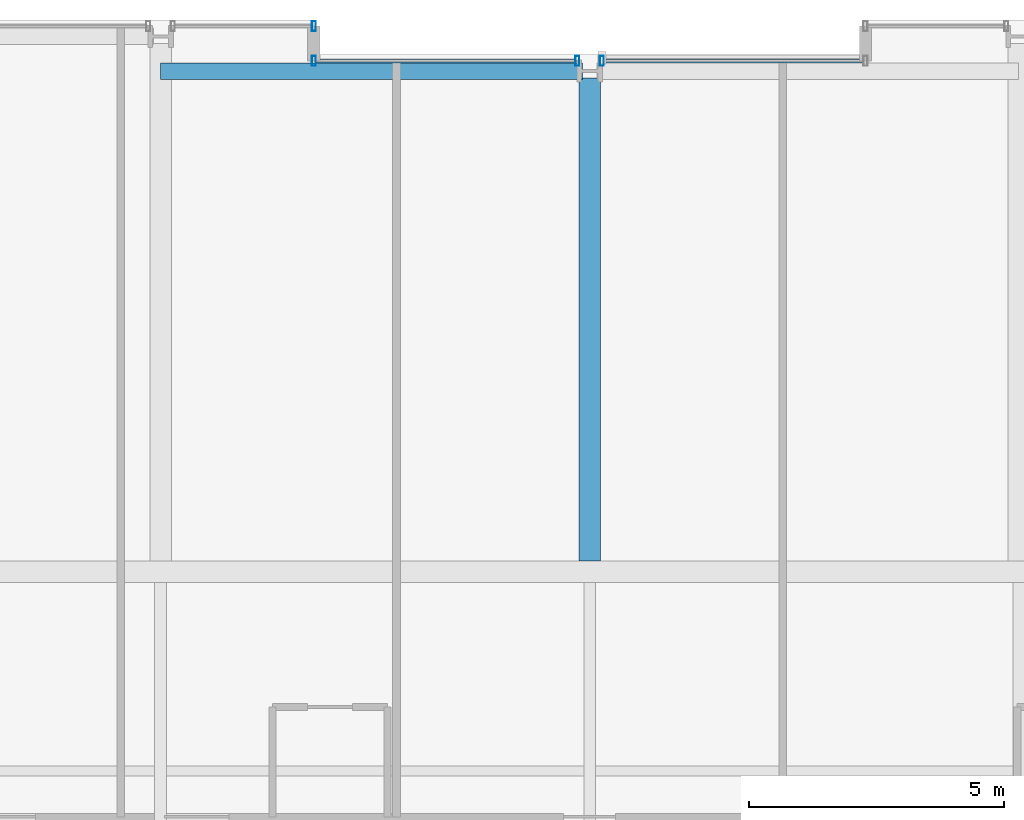
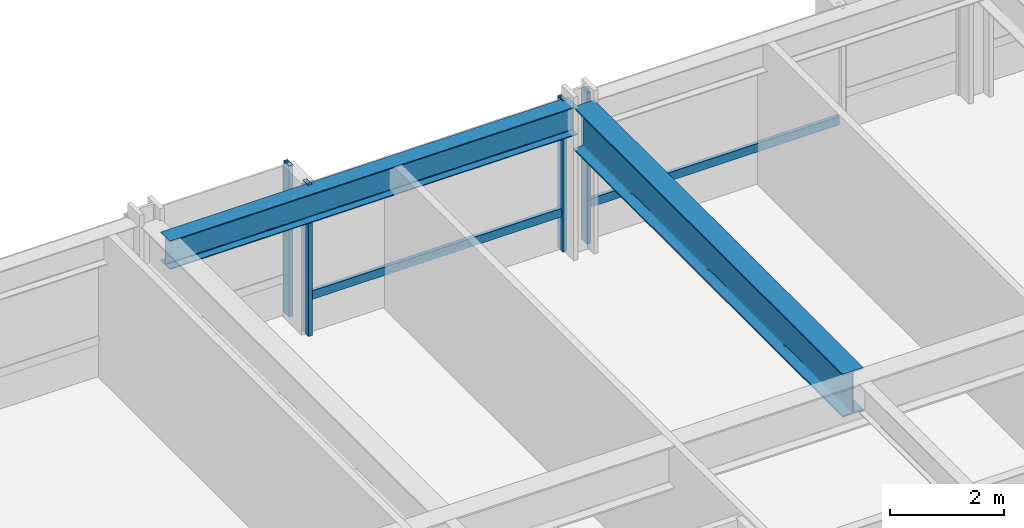
# One storey, part 23 of 38: 6 members, 2 beams, 3 elements without a shape of their own.
"""IFC4 building model written with IfcOpenShell, lengths in metres."""

from ifc_helpers import new_model, si_unit, direction, frame, origin, origin_2d, place, context, subcontext, project, spatial, hollow_rectangle, i_section, extrude, material, layer, layer_set, material_profile, profile_set, type_object, element, aggregate, save


model = new_model("IFC4")

# Units and contexts
model_context = context("Model", 3, precision=1e-05, world=origin(), true_north=direction((0.0, 1.0)))
body_context = subcontext(model_context, "Body", "Model", "MODEL_VIEW")
ifc_project = project(units=[si_unit("LENGTHUNIT", "METRE"), si_unit("AREAUNIT", "SQUARE_METRE"), si_unit("VOLUMEUNIT", "CUBIC_METRE"), si_unit("PLANEANGLEUNIT", "RADIAN"), si_unit("MASSUNIT", "GRAM", prefix="KILO")], contexts=[model_context])

# Site, building, storey
site_placement = place(None, origin())
site = spatial("IfcSite", under=ifc_project, at=site_placement, CompositionType="ELEMENT")
building_placement = place(site_placement, origin())
building = spatial("IfcBuilding", under=site, at=building_placement, Name="Drelvath Grand Hotel", CompositionType="ELEMENT")
storey_placement = place(building_placement, frame((0.0, 0.0, 57.699951171875)))
storey = spatial("IfcBuildingStorey", under=building, at=storey_placement, Name="L13", CompositionType="ELEMENT", Elevation=57.699951171875)

# Curtain wall, member
ifc_material_1 = material(Name="Warm Bronze Anodised Aluminium Frame", Category="aluminium")
ifc_layer = layer(ifc_material_1, 0.199951171875)
ifc_layer_set = layer_set([ifc_layer], Name="Warm Bronze Anodised Aluminium Frame")
curtain_wall_type = type_object("IfcCurtainWallType", Name="Stick Curtain Wall CW-02 Warm Bronze Low-Rise", PredefinedType="NOTDEFINED", material=ifc_layer_set)
curtain_wall_1_placement = place(storey_placement, origin())
curtain_wall_1 = element("IfcCurtainWall", 1, at=curtain_wall_1_placement, inside=storey, type_object=curtain_wall_type, Name="L13 CW-02 Curtain Wall CW02-L13-NM1", PredefinedType="NOTDEFINED")
ifc_material_profile_1 = material_profile(ifc_material_1, hollow_rectangle(XDim=0.074951171875, YDim=0.179931640625, WallThickness=0.0048828125, at=origin_2d()), Name="HSS180X75X5")
ifc_profile_set_1 = profile_set([ifc_material_profile_1], Name="Warm Bronze Anodised Aluminium Frame")
member_type_1 = type_object("IfcMemberType", Name="Curtain Wall Horizontal Transom CW-02 HSS180X75X5", PredefinedType="USERDEFINED", material=ifc_profile_set_1)
member_1_placement = place(storey_placement, frame((-5.360107421875, 53.199951171875, 0.81005859375), z_axis=(1.0, 0.0, 0.0), x_axis=(0.0, 1.0, 0.0)))
member_1 = element("IfcMember", 2, at=member_1_placement, type_object=member_type_1, Name="CW02-L13-NM1 Sill Transom", ObjectType="TRANSOM", PredefinedType="USERDEFINED", context=body_context, shape_type="SweptSolid", body=[
    extrude(hollow_rectangle(XDim=0.074951171875, YDim=0.179931640625, WallThickness=0.0048828125, at=origin_2d()), origin(), (0.0, 0.0, 1.0), 5.0791015625),
])

curtain_wall_2_placement = place(storey_placement, origin())
curtain_wall_2 = element("IfcCurtainWall", 3, at=curtain_wall_2_placement, inside=storey, type_object=curtain_wall_type, Name="L13 CW-02 Curtain Wall CW02-L13-NM2", PredefinedType="NOTDEFINED")
member_2_placement = place(storey_placement, frame((0.281005859375, 53.199951171875, 0.81005859375), z_axis=(1.0, 0.0, 0.0), x_axis=(0.0, 1.0, 0.0)))
member_2 = element("IfcMember", 4, at=member_2_placement, type_object=member_type_1, Name="CW02-L13-NM2 Sill Transom", ObjectType="TRANSOM", PredefinedType="USERDEFINED", context=body_context, shape_type="SweptSolid", body=[
    extrude(hollow_rectangle(XDim=0.074951171875, YDim=0.179931640625, WallThickness=0.0048828125, at=origin_2d()), origin(), (0.0, 0.0, 1.0), 5.0791015625),
])

curtain_wall_3_placement = place(storey_placement, origin())
curtain_wall_3 = element("IfcCurtainWall", 5, at=curtain_wall_3_placement, inside=storey, type_object=curtain_wall_type, Name="L13 CW-02 Curtain Wall CW02-L13-NW3", PredefinedType="NOTDEFINED")
ifc_material_profile_2 = material_profile(ifc_material_1, hollow_rectangle(XDim=0.080078125, YDim=0.199951171875, WallThickness=0.0048828125, at=origin_2d()), Name="HSS200X80X5")
ifc_profile_set_2 = profile_set([ifc_material_profile_2], Name="Warm Bronze Anodised Aluminium Frame")
member_type_2 = type_object("IfcMemberType", Name="Curtain Wall Vertical Mullion CW-02 HSS200X80X5", PredefinedType="MULLION", material=ifc_profile_set_2)
member_3_placement = place(storey_placement, frame((-5.39990234375, 53.8798828125, 0.0), z_axis=(0.0, 0.0, 1.0), x_axis=(1.0, 0.0, 0.0)))
member_3 = element("IfcMember", 6, at=member_3_placement, type_object=member_type_2, Name="CW02-L13-NW3 Mullion 2", PredefinedType="MULLION", context=body_context, shape_type="SweptSolid", body=[
    extrude(hollow_rectangle(XDim=0.080078125, YDim=0.199951171875, WallThickness=0.0048828125, at=origin_2d()), origin(), (0.0, 0.0, 1.0), 3.239990234375),
])
aggregate(curtain_wall_3, [member_3])

# Member
member_4_placement = place(storey_placement, frame((-5.39990234375, 53.199951171875, 0.0), z_axis=(0.0, 0.0, 1.0), x_axis=(1.0, 0.0, 0.0)))
member_4 = element("IfcMember", 7, at=member_4_placement, type_object=member_type_2, Name="CW02-L13-NM1 Mullion 1", PredefinedType="MULLION", context=body_context, shape_type="SweptSolid", body=[
    extrude(hollow_rectangle(XDim=0.080078125, YDim=0.199951171875, WallThickness=0.0048828125, at=origin_2d()), origin(), (0.0, 0.0, 1.0), 3.239990234375),
])

member_5_placement = place(storey_placement, frame((-0.240966796875, 53.199951171875, 0.0), z_axis=(0.0, 0.0, 1.0), x_axis=(1.0, 0.0, 0.0)))
member_5 = element("IfcMember", 8, at=member_5_placement, type_object=member_type_2, Name="CW02-L13-NM1 Mullion 2", PredefinedType="MULLION", context=body_context, shape_type="SweptSolid", body=[
    extrude(hollow_rectangle(XDim=0.080078125, YDim=0.199951171875, WallThickness=0.0048828125, at=origin_2d()), origin(), (0.0, 0.0, 1.0), 3.239990234375),
])

aggregate(curtain_wall_1, [member_4, member_5, member_1])

member_6_placement = place(storey_placement, frame((0.240966796875, 53.199951171875, 0.0), z_axis=(0.0, 0.0, 1.0), x_axis=(1.0, 0.0, 0.0)))
member_6 = element("IfcMember", 9, at=member_6_placement, type_object=member_type_2, Name="CW02-L13-NM2 Mullion 1", PredefinedType="MULLION", context=body_context, shape_type="SweptSolid", body=[
    extrude(hollow_rectangle(XDim=0.080078125, YDim=0.199951171875, WallThickness=0.0048828125, at=origin_2d()), origin(), (0.0, 0.0, 1.0), 3.239990234375),
])

aggregate(curtain_wall_2, [member_6, member_2])

# Beams
ifc_material_2 = material(Name="Steel ASTM A992 Gr 50", Category="steel")
ifc_material_profile_3 = material_profile(ifc_material_2, i_section(OverallWidth=0.323974609375, OverallDepth=0.611083984375, WebThickness=0.0126953125, FlangeThickness=0.01904296875, FilletRadius=0.02197265625, at=origin_2d()), Name="W24X104")
ifc_profile_set_3 = profile_set([ifc_material_profile_3], Name="Steel ASTM A992 Gr 50")
beam_type_1 = type_object("IfcBeamType", Name="Perimeter Spandrel Beam W24X104", PredefinedType="SPANDREL", material=ifc_profile_set_3)
beam_1_placement = place(storey_placement, frame((-8.39990234375, 53.0, 2.9345703125), z_axis=(1.0, 0.0, 0.0), x_axis=(0.0, 1.0, 0.0)))
element("IfcBeam", 10, at=beam_1_placement, inside=storey, type_object=beam_type_1, Name="L13 Spandrel North Mid W", PredefinedType="SPANDREL", context=body_context, shape_type="SweptSolid", body=[
    extrude(i_section(OverallWidth=0.323974609375, OverallDepth=0.611083984375, WebThickness=0.0126953125, FlangeThickness=0.01904296875, FilletRadius=0.02197265625, at=origin_2d()), origin(), (0.0, 0.0, 1.0), 8.260009765625),
])
ifc_material_profile_4 = material_profile(ifc_material_2, i_section(OverallWidth=0.418212890625, OverallDepth=0.926513671875, WebThickness=0.019287109375, FlangeThickness=0.031982421875, FilletRadius=0.028076171875, at=origin_2d()), Name="W36X231")
ifc_profile_set_4 = profile_set([ifc_material_profile_4], Name="Steel ASTM A992 Gr 50")
beam_type_2 = type_object("IfcBeamType", Name="Primary Floor Girder W36X231", PredefinedType="BEAM", material=ifc_profile_set_4)
beam_2_placement = place(storey_placement, frame((0.0, 43.4091796875, 2.77685546875), z_axis=(0.0, 1.0, 0.0), x_axis=(-1.0, 0.0, 0.0)))
element("IfcBeam", 11, at=beam_2_placement, inside=storey, type_object=beam_type_2, Name="L13 North Wing Girder 5", PredefinedType="BEAM", context=body_context, shape_type="SweptSolid", body=[
    extrude(i_section(OverallWidth=0.418212890625, OverallDepth=0.926513671875, WebThickness=0.019287109375, FlangeThickness=0.031982421875, FilletRadius=0.028076171875, at=origin_2d()), origin(), (0.0, 0.0, 1.0), 9.450927734375),
])

save(model, "model.ifc")
